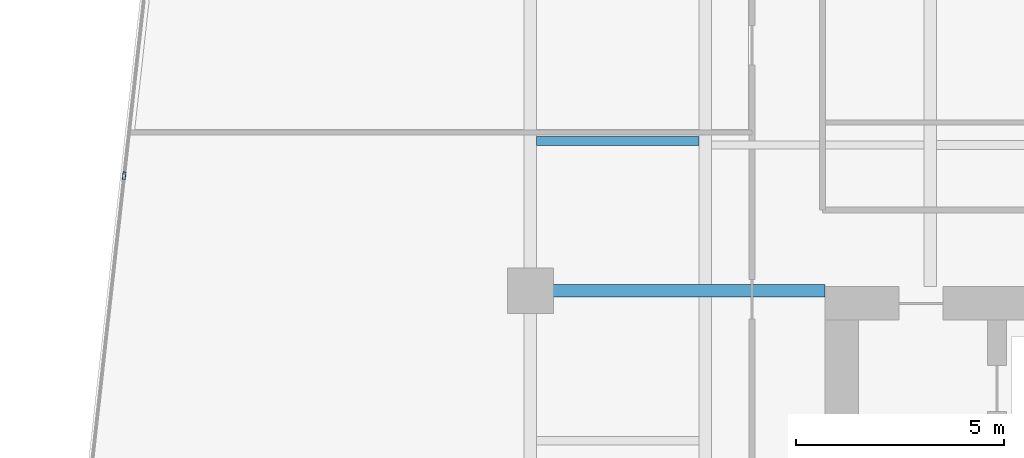
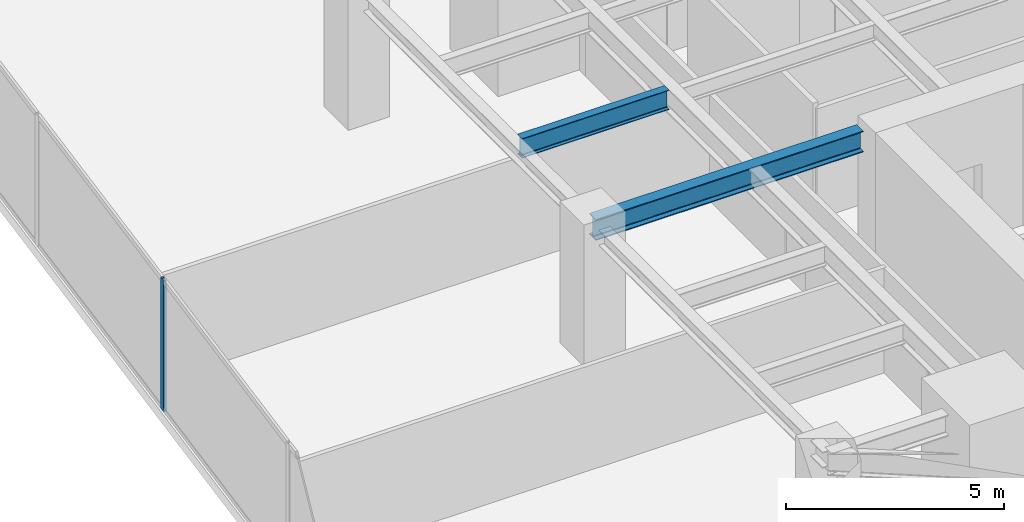
# One storey, part 8 of 31: 2 beams, 1 member, 1 element without a shape of its own.
"""IFC4 building model written with IfcOpenShell, lengths in metres."""

from ifc_helpers import new_model, si_unit, direction, frame, origin, origin_2d, place, context, subcontext, project, spatial, hollow_rectangle, i_section, extrude, source, transform, mapped, material, material_profile, profile_set, type_object, type_shapes, element, aggregate, save


model = new_model("IFC4")

# Units and contexts
model_context = context("Model", 3, precision=1e-05, world=origin(), true_north=direction((0.0, 1.0)))
body_context = subcontext(model_context, "Body", "Model", "MODEL_VIEW")
ifc_project = project(units=[si_unit("LENGTHUNIT", "METRE"), si_unit("AREAUNIT", "SQUARE_METRE"), si_unit("VOLUMEUNIT", "CUBIC_METRE"), si_unit("PLANEANGLEUNIT", "RADIAN"), si_unit("MASSUNIT", "GRAM", prefix="KILO")], contexts=[model_context])

# Site, building, storey
site_placement = place(None, origin())
site = spatial("IfcSite", under=ifc_project, at=site_placement, CompositionType="ELEMENT")
building_placement = place(site_placement, origin())
building = spatial("IfcBuilding", under=site, at=building_placement, Name="Krantzveldt Concourse Tower", CompositionType="ELEMENT")
storey_placement = place(building_placement, frame((0.0, 0.0, 56.60009765625)))
storey = spatial("IfcBuildingStorey", under=building, at=storey_placement, Name="L13", CompositionType="ELEMENT", Elevation=56.60009765625)

# Beams
ifc_material_1 = material(Name="Steel S355JR", Category="steel")
ifc_material_profile_1 = material_profile(ifc_material_1, i_section(OverallWidth=0.300048828125, OverallDepth=0.590087890625, WebThickness=0.012939453125, FlangeThickness=0.02490234375, FilletRadius=0.027099609375, at=origin_2d()), Name="Steel S355JR", Category="steel")
ifc_profile_set_1 = profile_set([ifc_material_profile_1], Name="Steel S355JR - HEA 600")
beam_type_1 = type_object("IfcBeamType", Name="BM-B-HEA600", PredefinedType="BEAM", material=ifc_profile_set_1)
shared_shape_1 = source(origin(), body_context, "Body", "SweptSolid", [
    extrude(i_section(OverallWidth=0.300048828125, OverallDepth=0.590087890625, WebThickness=0.012939453125, FlangeThickness=0.02490234375, FilletRadius=0.027099609375, at=origin_2d()), origin(), (0.0, 0.0, 1.0), 7.080078125),
])
type_shapes(beam_type_1, [shared_shape_1])
beam_1_placement = place(storey_placement, frame((21.0, 26.699951171875, 3.375), z_axis=(1.0, 0.0, 0.0), x_axis=(0.0, 1.0, 0.0)))
element("IfcBeam", 1, at=beam_1_placement, inside=storey, type_object=beam_type_1, Name="L13 Tower Girder BG-CW2", PredefinedType="BEAM", context=body_context, shape_type="MappedRepresentation", body=[
    mapped(shared_shape_1, transform((0.0, 0.0, 0.0), x_axis=(1.0, 0.0, 0.0), y_axis=(0.0, 1.0, 0.0), z_axis=(0.0, 0.0, 1.0), scale=1.0)),
])
ifc_material_profile_2 = material_profile(ifc_material_1, i_section(OverallWidth=0.2099609375, OverallDepth=0.550048828125, WebThickness=0.010986328125, FlangeThickness=0.01708984375, FilletRadius=0.02392578125, at=origin_2d()), Name="Steel S355JR", Category="steel")
ifc_profile_set_2 = profile_set([ifc_material_profile_2], Name="Steel S355JR - IPE 550")
beam_type_2 = type_object("IfcBeamType", Name="BM-J-IPE550", PredefinedType="JOIST", material=ifc_profile_set_2)
shared_shape_2 = source(origin(), body_context, "Body", "SweptSolid", [
    extrude(i_section(OverallWidth=0.2099609375, OverallDepth=0.550048828125, WebThickness=0.010986328125, FlangeThickness=0.01708984375, FilletRadius=0.02392578125, at=origin_2d()), origin(), (0.0, 0.0, 1.0), 3.900146484375),
])
type_shapes(beam_type_2, [shared_shape_2])
beam_2_placement = place(storey_placement, frame((21.14990234375, 30.300048828125, 3.39501953125), z_axis=(1.0, 0.0, 0.0), x_axis=(0.0, 1.0, 0.0)))
element("IfcBeam", 2, at=beam_2_placement, inside=storey, type_object=beam_type_2, Name="L13 Secondary Floor Joist JW-3", PredefinedType="JOIST", context=body_context, shape_type="MappedRepresentation", body=[
    mapped(shared_shape_2, transform((0.0, 0.0, 0.0), x_axis=(1.0, 0.0, 0.0), y_axis=(0.0, 1.0, 0.0), z_axis=(0.0, 0.0, 1.0), scale=1.0)),
])

# Curtain wall, member
ifc_material_2 = material(Name="Anodised aluminium 6063-T6", Category="aluminium")
curtain_wall_type = type_object("IfcCurtainWallType", Name="CW2", PredefinedType="USERDEFINED", material=ifc_material_2)
curtain_wall_placement = place(storey_placement, origin())
curtain_wall = element("IfcCurtainWall", 3, at=curtain_wall_placement, inside=storey, type_object=curtain_wall_type, Name="CW-L13-F01", ObjectType="UNITISED CURTAIN WALL", PredefinedType="USERDEFINED")
ifc_material_profile_3 = material_profile(ifc_material_2, hollow_rectangle(XDim=0.070068359375, YDim=0.179931640625, WallThickness=0.0048828125, at=origin_2d()), Name="Anodised aluminium 6063-T6", Category="aluminium")
ifc_profile_set_3 = profile_set([ifc_material_profile_3], Name="Anodised aluminium 6063-T6 - ALU-MULL 180x70x5")
member_type = type_object("IfcMemberType", Name="CW-MUL-180", PredefinedType="MULLION", material=ifc_profile_set_3)
shared_shape_3 = source(origin(), body_context, "Body", "SweptSolid", [
    extrude(hollow_rectangle(XDim=0.070068359375, YDim=0.179931640625, WallThickness=0.0048828125, at=origin_2d()), origin(), (0.0, 0.0, 1.0), 3.669921875),
])
type_shapes(member_type, [shared_shape_3])
member_placement = place(storey_placement, frame((11.244140625, 29.4658203125, 0.0), z_axis=(0.0, 0.0, 1.0), x_axis=(0.993816458223, -0.111035342863, 0.0)))
member = element("IfcMember", 4, at=member_placement, type_object=member_type, Name="CW-Z12 mullion 4", PredefinedType="MULLION", context=body_context, shape_type="MappedRepresentation", body=[
    mapped(shared_shape_3, transform((0.0, 0.0, 0.0), x_axis=(1.0, 0.0, 0.0), y_axis=(0.0, 1.0, 0.0), z_axis=(0.0, 0.0, 1.0), scale=1.0)),
])
aggregate(curtain_wall, [member])

save(model, "model.ifc")
